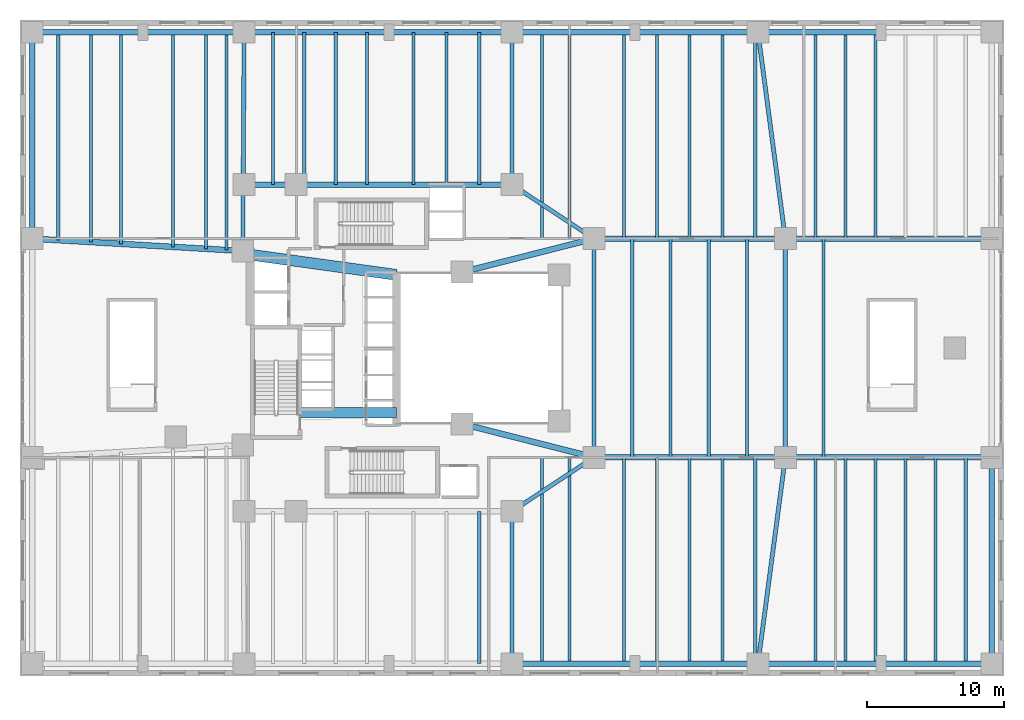
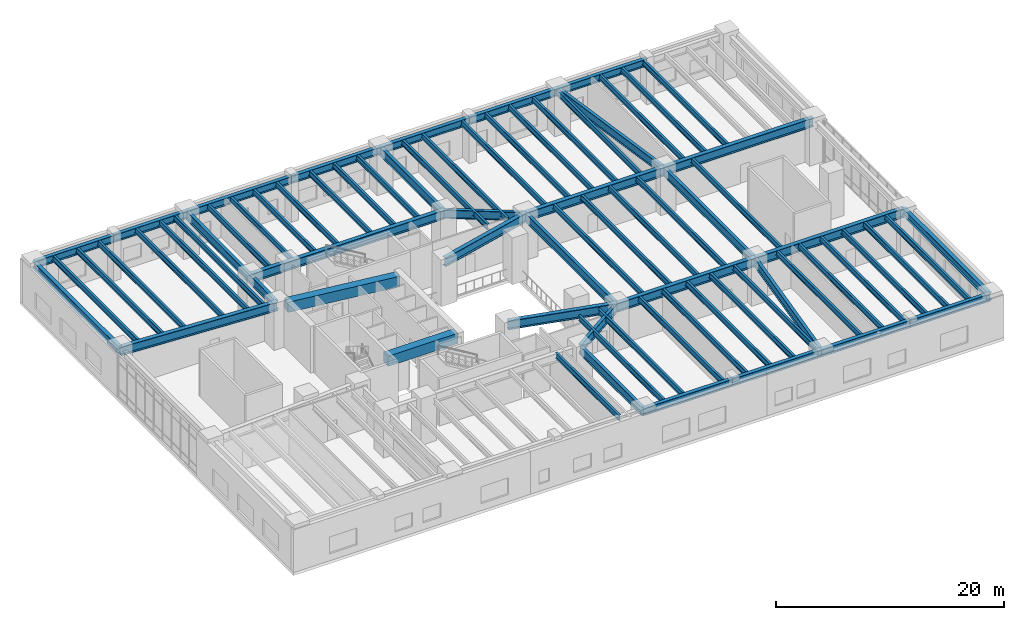
# One storey, part 7 of 18: 74 beams.
"""IFC4 building model written with IfcOpenShell, lengths in metres."""

from ifc_helpers import new_model, si_unit, direction, frame, origin, origin_2d, place, context, subcontext, project, spatial, rectangle, i_section, extrude, material, material_profile, profile_set, type_object, element, save


model = new_model("IFC4")

# Units and contexts
model_context = context("Model", 3, precision=1e-05, world=origin(), true_north=direction((0.0, 1.0)))
body_context = subcontext(model_context, "Body", "Model", "MODEL_VIEW")
ifc_project = project(units=[si_unit("LENGTHUNIT", "METRE"), si_unit("AREAUNIT", "SQUARE_METRE"), si_unit("VOLUMEUNIT", "CUBIC_METRE"), si_unit("PLANEANGLEUNIT", "RADIAN"), si_unit("MASSUNIT", "GRAM", prefix="KILO"), si_unit("THERMODYNAMICTEMPERATUREUNIT", "KELVIN"), si_unit("POWERUNIT", "WATT")], contexts=[model_context])

# Site, building, storey
site_placement = place(None, origin())
site = spatial("IfcSite", under=ifc_project, at=site_placement, CompositionType="ELEMENT")
building_placement = place(site_placement, origin())
building = spatial("IfcBuilding", under=site, at=building_placement, Name="Skarre Station Tower", CompositionType="ELEMENT")
storey_placement = place(building_placement, frame((0.0, 0.0, 16.0)))
storey = spatial("IfcBuildingStorey", under=building, at=storey_placement, Name="L04", CompositionType="ELEMENT", Elevation=16.0)

# Beams
ifc_material_1 = material(Name="Concrete C70/85", Category="concrete")
ifc_material_profile_1 = material_profile(ifc_material_1, rectangle(XDim=0.800048828125, YDim=1.10009765625, at=origin_2d()), Name="Concrete C70/85")
ifc_profile_set_1 = profile_set([ifc_material_profile_1], Name="Concrete C70/85")
beam_type_1 = type_object("IfcBeamType", Name="RC Core Coupling Lintel 800x1100", PredefinedType="LINTEL", material=ifc_profile_set_1)
beam_1_placement = place(storey_placement, frame((20.489990234375, 19.260009765625, 4.030029296875), z_axis=(1.0, 0.0, 0.0), x_axis=(0.0, 1.0, 0.0)))
element("IfcBeam", 1, at=beam_1_placement, inside=storey, type_object=beam_type_1, Name="L04 South Core Coupling Lintel", PredefinedType="LINTEL", context=body_context, shape_type="SweptSolid", body=[
    extrude(rectangle(XDim=0.800048828125, YDim=1.10009765625, at=origin_2d()), origin(), (0.0, 0.0, 1.0), 7.06005859375),
])
beam_2_placement = place(storey_placement, frame((17.050048828125, 30.800048828125, 4.030029296875), z_axis=(0.990599723633, -0.136792498109, 0.0), x_axis=(0.136792498109, 0.990599723633, 0.0)))
element("IfcBeam", 2, at=beam_2_placement, inside=storey, type_object=beam_type_1, Name="L04 North Core Coupling Lintel", PredefinedType="LINTEL", context=body_context, shape_type="SweptSolid", body=[
    extrude(rectangle(XDim=0.800048828125, YDim=1.10009765625, at=origin_2d()), origin(), (0.0, 0.0, 1.0), 10.599609375),
])
ifc_material_2 = material(Name="Steel ASTM A992 Grade 50", Category="steel")
ifc_material_profile_2 = material_profile(ifc_material_2, i_section(OverallWidth=0.30810546875, OverallDepth=0.927001953125, WebThickness=0.01904296875, FlangeThickness=0.031982421875, at=origin_2d()), Name="Steel ASTM A992 Grade 50")
ifc_profile_set_2 = profile_set([ifc_material_profile_2], Name="Steel ASTM A992 Grade 50")
beam_type_2 = type_object("IfcBeamType", Name="Steel Beam W36X194", PredefinedType="BEAM", material=ifc_profile_set_2)
beam_3_placement = place(storey_placement, frame((16.300048828125, 31.10009765625, 4.115966796875), z_axis=(0.006240723195, 0.999980526497, 0.0), x_axis=(-0.999980526497, 0.006240723195, 0.0)))
element("IfcBeam", 3, at=beam_3_placement, inside=storey, type_object=beam_type_2, Name="L04 Concourse Transverse Girder NS2", PredefinedType="BEAM", context=body_context, shape_type="SweptSolid", body=[
    extrude(i_section(OverallWidth=0.30810546875, OverallDepth=0.927001953125, WebThickness=0.01904296875, FlangeThickness=0.031982421875, at=origin_2d()), origin(), (0.0, 0.0, 1.0), 16.000244140625),
])
beam_4_placement = place(storey_placement, frame((36.0, 0.89990234375, 4.115966796875), z_axis=(0.0, 1.0, 0.0), x_axis=(-1.0, 0.0, 0.0)))
element("IfcBeam", 4, at=beam_4_placement, inside=storey, type_object=beam_type_2, Name="L04 Concourse Transverse Girder NS3", PredefinedType="BEAM", context=body_context, shape_type="SweptSolid", body=[
    extrude(i_section(OverallWidth=0.30810546875, OverallDepth=0.927001953125, WebThickness=0.01904296875, FlangeThickness=0.031982421875, at=origin_2d()), origin(), (0.0, 0.0, 1.0), 11.150146484375),
])
beam_5_placement = place(storey_placement, frame((36.0, 12.050048828125, 4.115966796875), z_axis=(0.835251957938, 0.549867408345, 0.0), x_axis=(-0.549867408345, 0.835251957938, 0.0)))
element("IfcBeam", 5, at=beam_5_placement, inside=storey, type_object=beam_type_2, Name="L04 Concourse Transverse Girder NS3B", PredefinedType="BEAM", context=body_context, shape_type="SweptSolid", body=[
    extrude(i_section(OverallWidth=0.30810546875, OverallDepth=0.927001953125, WebThickness=0.01904296875, FlangeThickness=0.031982421875, at=origin_2d()), origin(), (0.0, 0.0, 1.0), 7.183349609375),
])
beam_6_placement = place(storey_placement, frame((42.0, 16.0, 4.115966796875), z_axis=(0.0, 1.0, 0.0), x_axis=(-1.0, 0.0, 0.0)))
element("IfcBeam", 6, at=beam_6_placement, inside=storey, type_object=beam_type_2, Name="L04 Concourse Transverse Girder NS4", PredefinedType="BEAM", context=body_context, shape_type="SweptSolid", body=[
    extrude(i_section(OverallWidth=0.30810546875, OverallDepth=0.927001953125, WebThickness=0.01904296875, FlangeThickness=0.031982421875, at=origin_2d()), origin(), (0.0, 0.0, 1.0), 16.0),
])
beam_7_placement = place(storey_placement, frame((42.0, 32.0, 4.115966796875), z_axis=(-0.835251957938, 0.549867408345, 0.0), x_axis=(-0.549867408345, -0.835251957938, 0.0)))
element("IfcBeam", 7, at=beam_7_placement, inside=storey, type_object=beam_type_2, Name="L04 Concourse Transverse Girder NS5B", PredefinedType="BEAM", context=body_context, shape_type="SweptSolid", body=[
    extrude(i_section(OverallWidth=0.30810546875, OverallDepth=0.927001953125, WebThickness=0.01904296875, FlangeThickness=0.031982421875, at=origin_2d()), origin(), (0.0, 0.0, 1.0), 7.183349609375),
])
beam_8_placement = place(storey_placement, frame((36.0, 35.949951171875, 4.115966796875), z_axis=(0.0, 1.0, 0.0), x_axis=(-1.0, 0.0, 0.0)))
element("IfcBeam", 8, at=beam_8_placement, inside=storey, type_object=beam_type_2, Name="L04 Concourse Transverse Girder NS5", PredefinedType="BEAM", context=body_context, shape_type="SweptSolid", body=[
    extrude(i_section(OverallWidth=0.30810546875, OverallDepth=0.927001953125, WebThickness=0.01904296875, FlangeThickness=0.031982421875, at=origin_2d()), origin(), (0.0, 0.0, 1.0), 11.150146484375),
])
beam_9_placement = place(storey_placement, frame((54.0, 0.89990234375, 4.115966796875), z_axis=(0.131302768537, 0.991342313721, 0.0), x_axis=(-0.991342313721, 0.131302768537, 0.0)))
element("IfcBeam", 9, at=beam_9_placement, inside=storey, type_object=beam_type_2, Name="L04 Concourse Transverse Girder NS6", PredefinedType="BEAM", context=body_context, shape_type="SweptSolid", body=[
    extrude(i_section(OverallWidth=0.30810546875, OverallDepth=0.927001953125, WebThickness=0.01904296875, FlangeThickness=0.031982421875, at=origin_2d()), origin(), (0.0, 0.0, 1.0), 15.23193359375),
])
beam_10_placement = place(storey_placement, frame((56.0, 16.0, 4.115966796875), z_axis=(0.0, 1.0, 0.0), x_axis=(-1.0, 0.0, 0.0)))
element("IfcBeam", 10, at=beam_10_placement, inside=storey, type_object=beam_type_2, Name="L04 Concourse Transverse Girder NS7", PredefinedType="BEAM", context=body_context, shape_type="SweptSolid", body=[
    extrude(i_section(OverallWidth=0.30810546875, OverallDepth=0.927001953125, WebThickness=0.01904296875, FlangeThickness=0.031982421875, at=origin_2d()), origin(), (0.0, 0.0, 1.0), 16.0),
])
beam_11_placement = place(storey_placement, frame((56.0, 32.0, 4.115966796875), z_axis=(-0.131302768537, 0.991342313721, 0.0), x_axis=(-0.991342313721, -0.131302768537, 0.0)))
element("IfcBeam", 11, at=beam_11_placement, inside=storey, type_object=beam_type_2, Name="L04 Concourse Transverse Girder NS8", PredefinedType="BEAM", context=body_context, shape_type="SweptSolid", body=[
    extrude(i_section(OverallWidth=0.30810546875, OverallDepth=0.927001953125, WebThickness=0.01904296875, FlangeThickness=0.031982421875, at=origin_2d()), origin(), (0.0, 0.0, 1.0), 15.23193359375),
])
ifc_material_profile_3 = material_profile(ifc_material_2, i_section(OverallWidth=0.423095703125, OverallDepth=0.947998046875, WebThickness=0.02392578125, FlangeThickness=0.04296875, at=origin_2d()), Name="Steel ASTM A992 Grade 50")
ifc_profile_set_3 = profile_set([ifc_material_profile_3], Name="Steel ASTM A992 Grade 50")
beam_type_3 = type_object("IfcBeamType", Name="Steel Beam W36X302", PredefinedType="BEAM", material=ifc_profile_set_3)
beam_12_placement = place(storey_placement, frame((32.35009765625, 18.449951171875, 4.10595703125), z_axis=(0.969250360418, -0.246076692982, 0.0), x_axis=(0.246076692982, 0.969250360418, 0.0)))
element("IfcBeam", 12, at=beam_12_placement, inside=storey, type_object=beam_type_3, Name="L04 Concourse Primary Girder EW2", PredefinedType="BEAM", context=body_context, shape_type="SweptSolid", body=[
    extrude(i_section(OverallWidth=0.423095703125, OverallDepth=0.947998046875, WebThickness=0.02392578125, FlangeThickness=0.04296875, at=origin_2d()), origin(), (0.0, 0.0, 1.0), 9.9560546875),
])
beam_13_placement = place(storey_placement, frame((42.0, 16.0, 4.10595703125), z_axis=(1.0, 0.0, 0.0), x_axis=(0.0, 1.0, 0.0)))
element("IfcBeam", 13, at=beam_13_placement, inside=storey, type_object=beam_type_3, Name="L04 Concourse Primary Girder EW3", PredefinedType="BEAM", context=body_context, shape_type="SweptSolid", body=[
    extrude(i_section(OverallWidth=0.423095703125, OverallDepth=0.947998046875, WebThickness=0.02392578125, FlangeThickness=0.04296875, at=origin_2d()), origin(), (0.0, 0.0, 1.0), 14.0),
])
beam_14_placement = place(storey_placement, frame((56.0, 16.0, 4.10595703125), z_axis=(1.0, 0.0, 0.0), x_axis=(0.0, 1.0, 0.0)))
element("IfcBeam", 14, at=beam_14_placement, inside=storey, type_object=beam_type_3, Name="L04 Concourse Primary Girder EW4", PredefinedType="BEAM", context=body_context, shape_type="SweptSolid", body=[
    extrude(i_section(OverallWidth=0.423095703125, OverallDepth=0.947998046875, WebThickness=0.02392578125, FlangeThickness=0.04296875, at=origin_2d()), origin(), (0.0, 0.0, 1.0), 15.10009765625),
])
beam_15_placement = place(storey_placement, frame((0.89990234375, 32.0, 4.10595703125), z_axis=(0.99829705511, -0.05833515029, 0.0), x_axis=(0.05833515029, 0.99829705511, 0.0)))
element("IfcBeam", 15, at=beam_15_placement, inside=storey, type_object=beam_type_3, Name="L04 Concourse Primary Girder EW5", PredefinedType="BEAM", context=body_context, shape_type="SweptSolid", body=[
    extrude(i_section(OverallWidth=0.423095703125, OverallDepth=0.947998046875, WebThickness=0.02392578125, FlangeThickness=0.04296875, at=origin_2d()), origin(), (0.0, 0.0, 1.0), 15.426513671875),
])
beam_16_placement = place(storey_placement, frame((32.35009765625, 29.550048828125, 4.10595703125), z_axis=(0.969250360418, 0.246076692982, 0.0), x_axis=(-0.246076692982, 0.969250360418, 0.0)))
element("IfcBeam", 16, at=beam_16_placement, inside=storey, type_object=beam_type_3, Name="L04 Concourse Primary Girder EW6", PredefinedType="BEAM", context=body_context, shape_type="SweptSolid", body=[
    extrude(i_section(OverallWidth=0.423095703125, OverallDepth=0.947998046875, WebThickness=0.02392578125, FlangeThickness=0.04296875, at=origin_2d()), origin(), (0.0, 0.0, 1.0), 9.9560546875),
])
beam_17_placement = place(storey_placement, frame((42.0, 32.0, 4.10595703125), z_axis=(1.0, 0.0, 0.0), x_axis=(0.0, 1.0, 0.0)))
element("IfcBeam", 17, at=beam_17_placement, inside=storey, type_object=beam_type_3, Name="L04 Concourse Primary Girder EW7", PredefinedType="BEAM", context=body_context, shape_type="SweptSolid", body=[
    extrude(i_section(OverallWidth=0.423095703125, OverallDepth=0.947998046875, WebThickness=0.02392578125, FlangeThickness=0.04296875, at=origin_2d()), origin(), (0.0, 0.0, 1.0), 14.0),
])
beam_18_placement = place(storey_placement, frame((56.0, 32.0, 4.10595703125), z_axis=(1.0, 0.0, 0.0), x_axis=(0.0, 1.0, 0.0)))
element("IfcBeam", 18, at=beam_18_placement, inside=storey, type_object=beam_type_3, Name="L04 Concourse Primary Girder EW8", PredefinedType="BEAM", context=body_context, shape_type="SweptSolid", body=[
    extrude(i_section(OverallWidth=0.423095703125, OverallDepth=0.947998046875, WebThickness=0.02392578125, FlangeThickness=0.04296875, at=origin_2d()), origin(), (0.0, 0.0, 1.0), 15.10009765625),
])
beam_19_placement = place(storey_placement, frame((16.39990234375, 35.949951171875, 4.10595703125), z_axis=(1.0, 0.0, 0.0), x_axis=(0.0, 1.0, 0.0)))
element("IfcBeam", 19, at=beam_19_placement, inside=storey, type_object=beam_type_3, Name="L04 Concourse Primary Girder HDRN", PredefinedType="BEAM", context=body_context, shape_type="SweptSolid", body=[
    extrude(i_section(OverallWidth=0.423095703125, OverallDepth=0.947998046875, WebThickness=0.02392578125, FlangeThickness=0.04296875, at=origin_2d()), origin(), (0.0, 0.0, 1.0), 19.60009765625),
])
ifc_material_profile_4 = material_profile(ifc_material_2, i_section(OverallWidth=0.22802734375, OverallDepth=0.60791015625, WebThickness=0.010986328125, FlangeThickness=0.01708984375, at=origin_2d()), Name="Steel ASTM A992 Grade 50")
ifc_profile_set_4 = profile_set([ifc_material_profile_4], Name="Steel ASTM A992 Grade 50")
beam_type_4 = type_object("IfcBeamType", Name="Steel Joist W24X76", PredefinedType="JOIST", material=ifc_profile_set_4)
beam_20_placement = place(storey_placement, frame((2.800048828125, 31.888916015625, 4.27587890625), z_axis=(0.0, 1.0, 0.0), x_axis=(-1.0, 0.0, 0.0)))
element("IfcBeam", 20, at=beam_20_placement, inside=storey, type_object=beam_type_4, Name="L04 North Bay Joist 1", PredefinedType="JOIST", context=body_context, shape_type="SweptSolid", body=[
    extrude(i_section(OverallWidth=0.22802734375, OverallDepth=0.60791015625, WebThickness=0.010986328125, FlangeThickness=0.01708984375, at=origin_2d()), origin(), (0.0, 0.0, 1.0), 15.211181640625),
])
beam_21_placement = place(storey_placement, frame((5.199951171875, 31.7490234375, 4.27587890625), z_axis=(0.0, 1.0, 0.0), x_axis=(-1.0, 0.0, 0.0)))
element("IfcBeam", 21, at=beam_21_placement, inside=storey, type_object=beam_type_4, Name="L04 North Bay Joist 2", PredefinedType="JOIST", context=body_context, shape_type="SweptSolid", body=[
    extrude(i_section(OverallWidth=0.22802734375, OverallDepth=0.60791015625, WebThickness=0.010986328125, FlangeThickness=0.01708984375, at=origin_2d()), origin(), (0.0, 0.0, 1.0), 15.35107421875),
])
beam_22_placement = place(storey_placement, frame((7.39990234375, 31.6201171875, 4.27587890625), z_axis=(0.0, 1.0, 0.0), x_axis=(-1.0, 0.0, 0.0)))
element("IfcBeam", 22, at=beam_22_placement, inside=storey, type_object=beam_type_4, Name="L04 North Bay Joist 3", PredefinedType="JOIST", context=body_context, shape_type="SweptSolid", body=[
    extrude(i_section(OverallWidth=0.22802734375, OverallDepth=0.60791015625, WebThickness=0.010986328125, FlangeThickness=0.01708984375, at=origin_2d()), origin(), (0.0, 0.0, 1.0), 15.47998046875),
])
beam_23_placement = place(storey_placement, frame((11.199951171875, 31.39794921875, 4.27587890625), z_axis=(0.0, 1.0, 0.0), x_axis=(-1.0, 0.0, 0.0)))
element("IfcBeam", 23, at=beam_23_placement, inside=storey, type_object=beam_type_4, Name="L04 North Bay Joist 4", PredefinedType="JOIST", context=body_context, shape_type="SweptSolid", body=[
    extrude(i_section(OverallWidth=0.22802734375, OverallDepth=0.60791015625, WebThickness=0.010986328125, FlangeThickness=0.01708984375, at=origin_2d()), origin(), (0.0, 0.0, 1.0), 15.7021484375),
])
beam_24_placement = place(storey_placement, frame((13.60009765625, 31.258056640625, 4.27587890625), z_axis=(0.0, 1.0, 0.0), x_axis=(-1.0, 0.0, 0.0)))
element("IfcBeam", 24, at=beam_24_placement, inside=storey, type_object=beam_type_4, Name="L04 North Bay Joist 5", PredefinedType="JOIST", context=body_context, shape_type="SweptSolid", body=[
    extrude(i_section(OverallWidth=0.22802734375, OverallDepth=0.60791015625, WebThickness=0.010986328125, FlangeThickness=0.01708984375, at=origin_2d()), origin(), (0.0, 0.0, 1.0), 15.842041015625),
])
beam_25_placement = place(storey_placement, frame((15.10009765625, 31.169921875, 4.27587890625), z_axis=(0.0, 1.0, 0.0), x_axis=(-1.0, 0.0, 0.0)))
element("IfcBeam", 25, at=beam_25_placement, inside=storey, type_object=beam_type_4, Name="L04 North Bay Joist 6", PredefinedType="JOIST", context=body_context, shape_type="SweptSolid", body=[
    extrude(i_section(OverallWidth=0.22802734375, OverallDepth=0.60791015625, WebThickness=0.010986328125, FlangeThickness=0.01708984375, at=origin_2d()), origin(), (0.0, 0.0, 1.0), 15.93017578125),
])
for number, where, z_axis, x_axis, name in (
    (26, (18.5, 35.949951171875, 4.27587890625), (0.0, 1.0, 0.0), (-1.0, 0.0, 0.0), "L04 North Bay Joist 7"),
    (27, (20.800048828125, 35.949951171875, 4.27587890625), (0.0, 1.0, 0.0), (-1.0, 0.0, 0.0), "L04 North Bay Joist 8"),
    (28, (23.10009765625, 35.949951171875, 4.27587890625), (0.0, 1.0, 0.0), (-1.0, 0.0, 0.0), "L04 North Bay Joist 9"),
    (29, (25.39990234375, 35.949951171875, 4.27587890625), (0.0, 1.0, 0.0), (-1.0, 0.0, 0.0), "L04 North Bay Joist 10"),
    (30, (28.800048828125, 35.949951171875, 4.27587890625), (0.0, 1.0, 0.0), (-1.0, 0.0, 0.0), "L04 North Bay Joist 11"),
    (31, (31.199951171875, 35.949951171875, 4.27587890625), (0.0, 1.0, 0.0), (-1.0, 0.0, 0.0), "L04 North Bay Joist 12"),
    (32, (33.60009765625, 0.89990234375, 4.27587890625), (0.0, 1.0, 0.0), (-1.0, 0.0, 0.0), "L04 South Bay Joist 13"),
    (33, (33.60009765625, 35.949951171875, 4.27587890625), (0.0, 1.0, 0.0), (-1.0, 0.0, 0.0), "L04 North Bay Joist 13"),
):
    element("IfcBeam", number, at=place(storey_placement, frame(where, z_axis=z_axis, x_axis=x_axis)), inside=storey, type_object=beam_type_4, Name=name, PredefinedType="JOIST", context=body_context, shape_type="SweptSolid", body=[
        extrude(i_section(OverallWidth=0.22802734375, OverallDepth=0.60791015625, WebThickness=0.010986328125, FlangeThickness=0.01708984375, at=origin_2d()), origin(), (0.0, 0.0, 1.0), 11.150146484375),
    ])
for number, where, z_axis, x_axis, name in (
    (34, (38.199951171875, 0.89990234375, 4.27587890625), (0.0, 1.0, 0.0), (-1.0, 0.0, 0.0), "L04 South Bay Joist 14"),
    (35, (38.199951171875, 32.0, 4.27587890625), (0.0, 1.0, 0.0), (-1.0, 0.0, 0.0), "L04 North Bay Joist 14"),
    (36, (40.199951171875, 0.89990234375, 4.27587890625), (0.0, 1.0, 0.0), (-1.0, 0.0, 0.0), "L04 South Bay Joist 15"),
    (37, (40.199951171875, 32.0, 4.27587890625), (0.0, 1.0, 0.0), (-1.0, 0.0, 0.0), "L04 North Bay Joist 15"),
    (38, (44.199951171875, 0.89990234375, 4.27587890625), (0.0, 1.0, 0.0), (-1.0, 0.0, 0.0), "L04 South Bay Joist 16"),
    (39, (44.199951171875, 32.0, 4.27587890625), (0.0, 1.0, 0.0), (-1.0, 0.0, 0.0), "L04 North Bay Joist 16"),
    (40, (46.60009765625, 0.89990234375, 4.27587890625), (0.0, 1.0, 0.0), (-1.0, 0.0, 0.0), "L04 South Bay Joist 17"),
    (41, (46.60009765625, 32.0, 4.27587890625), (0.0, 1.0, 0.0), (-1.0, 0.0, 0.0), "L04 North Bay Joist 17"),
    (42, (49.0, 0.89990234375, 4.27587890625), (0.0, 1.0, 0.0), (-1.0, 0.0, 0.0), "L04 South Bay Joist 18"),
    (43, (49.0, 32.0, 4.27587890625), (0.0, 1.0, 0.0), (-1.0, 0.0, 0.0), "L04 North Bay Joist 18"),
    (44, (51.39990234375, 0.89990234375, 4.27587890625), (0.0, 1.0, 0.0), (-1.0, 0.0, 0.0), "L04 South Bay Joist 19"),
    (45, (51.39990234375, 32.0, 4.27587890625), (0.0, 1.0, 0.0), (-1.0, 0.0, 0.0), "L04 North Bay Joist 19"),
    (46, (53.800048828125, 0.89990234375, 4.27587890625), (0.0, 1.0, 0.0), (-1.0, 0.0, 0.0), "L04 South Bay Joist 20"),
    (47, (53.800048828125, 32.0, 4.27587890625), (0.0, 1.0, 0.0), (-1.0, 0.0, 0.0), "L04 North Bay Joist 20"),
    (48, (58.199951171875, 0.89990234375, 4.27587890625), (0.0, 1.0, 0.0), (-1.0, 0.0, 0.0), "L04 South Bay Joist 21"),
    (49, (58.199951171875, 32.0, 4.27587890625), (0.0, 1.0, 0.0), (-1.0, 0.0, 0.0), "L04 North Bay Joist 21"),
    (50, (60.39990234375, 0.89990234375, 4.27587890625), (0.0, 1.0, 0.0), (-1.0, 0.0, 0.0), "L04 South Bay Joist 22"),
    (51, (60.39990234375, 32.0, 4.27587890625), (0.0, 1.0, 0.0), (-1.0, 0.0, 0.0), "L04 North Bay Joist 22"),
    (52, (62.60009765625, 0.89990234375, 4.27587890625), (0.0, 1.0, 0.0), (-1.0, 0.0, 0.0), "L04 South Bay Joist 23"),
    (53, (62.60009765625, 32.0, 4.27587890625), (0.0, 1.0, 0.0), (-1.0, 0.0, 0.0), "L04 North Bay Joist 23"),
    (54, (64.800048828125, 0.89990234375, 4.27587890625), (0.0, 1.0, 0.0), (-1.0, 0.0, 0.0), "L04 South Bay Joist 24"),
    (55, (67.0, 0.89990234375, 4.27587890625), (0.0, 1.0, 0.0), (-1.0, 0.0, 0.0), "L04 South Bay Joist 25"),
    (56, (69.199951171875, 0.89990234375, 4.27587890625), (0.0, 1.0, 0.0), (-1.0, 0.0, 0.0), "L04 South Bay Joist 26"),
):
    element("IfcBeam", number, at=place(storey_placement, frame(where, z_axis=z_axis, x_axis=x_axis)), inside=storey, type_object=beam_type_4, Name=name, PredefinedType="JOIST", context=body_context, shape_type="SweptSolid", body=[
        extrude(i_section(OverallWidth=0.22802734375, OverallDepth=0.60791015625, WebThickness=0.010986328125, FlangeThickness=0.01708984375, at=origin_2d()), origin(), (0.0, 0.0, 1.0), 15.10009765625),
    ])
for number, where, z_axis, x_axis, name in (
    (57, (44.800048828125, 16.0, 4.27587890625), (0.0, 1.0, 0.0), (-1.0, 0.0, 0.0), "L04 Central Concourse Joist 1"),
    (58, (47.60009765625, 16.0, 4.27587890625), (0.0, 1.0, 0.0), (-1.0, 0.0, 0.0), "L04 Central Concourse Joist 2"),
    (59, (50.39990234375, 16.0, 4.27587890625), (0.0, 1.0, 0.0), (-1.0, 0.0, 0.0), "L04 Central Concourse Joist 3"),
    (60, (53.199951171875, 16.0, 4.27587890625), (0.0, 1.0, 0.0), (-1.0, 0.0, 0.0), "L04 Central Concourse Joist 4"),
    (61, (58.800048828125, 16.0, 4.27587890625), (0.0, 1.0, 0.0), (-1.0, 0.0, 0.0), "L04 Central Concourse Joist 5"),
):
    element("IfcBeam", number, at=place(storey_placement, frame(where, z_axis=z_axis, x_axis=x_axis)), inside=storey, type_object=beam_type_4, Name=name, PredefinedType="JOIST", context=body_context, shape_type="SweptSolid", body=[
        extrude(i_section(OverallWidth=0.22802734375, OverallDepth=0.60791015625, WebThickness=0.010986328125, FlangeThickness=0.01708984375, at=origin_2d()), origin(), (0.0, 0.0, 1.0), 16.0),
    ])
ifc_material_profile_5 = material_profile(ifc_material_2, i_section(OverallWidth=0.384033203125, OverallDepth=0.785888671875, WebThickness=0.02001953125, FlangeThickness=0.032958984375, at=origin_2d()), Name="Steel ASTM A992 Grade 50")
ifc_profile_set_5 = profile_set([ifc_material_profile_5], Name="Steel ASTM A992 Grade 50")
beam_type_5 = type_object("IfcBeamType", Name="Steel Spandrel W30X211", PredefinedType="SPANDREL", material=ifc_profile_set_5)
beam_26_placement = place(storey_placement, frame((0.89990234375, 47.10009765625, 4.18701171875), z_axis=(1.0, 0.0, 0.0), x_axis=(0.0, 1.0, 0.0)))
element("IfcBeam", 62, at=beam_26_placement, inside=storey, type_object=beam_type_5, Name="L04 North Podium Spandrel 1", PredefinedType="SPANDREL", context=body_context, shape_type="SweptSolid", body=[
    extrude(i_section(OverallWidth=0.384033203125, OverallDepth=0.785888671875, WebThickness=0.02001953125, FlangeThickness=0.032958984375, at=origin_2d()), origin(), (0.0, 0.0, 1.0), 8.10009765625),
])
beam_27_placement = place(storey_placement, frame((9.0, 47.10009765625, 4.18701171875), z_axis=(1.0, 0.0, 0.0), x_axis=(0.0, 1.0, 0.0)))
element("IfcBeam", 63, at=beam_27_placement, inside=storey, type_object=beam_type_5, Name="L04 North Podium Spandrel 2", PredefinedType="SPANDREL", context=body_context, shape_type="SweptSolid", body=[
    extrude(i_section(OverallWidth=0.384033203125, OverallDepth=0.785888671875, WebThickness=0.02001953125, FlangeThickness=0.032958984375, at=origin_2d()), origin(), (0.0, 0.0, 1.0), 7.39990234375),
])
beam_28_placement = place(storey_placement, frame((16.39990234375, 47.10009765625, 4.18701171875), z_axis=(1.0, 0.0, 0.0), x_axis=(0.0, 1.0, 0.0)))
element("IfcBeam", 64, at=beam_28_placement, inside=storey, type_object=beam_type_5, Name="L04 North Podium Spandrel 3", PredefinedType="SPANDREL", context=body_context, shape_type="SweptSolid", body=[
    extrude(i_section(OverallWidth=0.384033203125, OverallDepth=0.785888671875, WebThickness=0.02001953125, FlangeThickness=0.032958984375, at=origin_2d()), origin(), (0.0, 0.0, 1.0), 10.60009765625),
])
for number, where, z_axis, x_axis, name in (
    (65, (27.0, 47.10009765625, 4.18701171875), (1.0, 0.0, 0.0), (0.0, 1.0, 0.0), "L04 North Podium Spandrel 4"),
    (66, (36.0, 0.89990234375, 4.18701171875), (1.0, 0.0, 0.0), (0.0, 1.0, 0.0), "L04 South Podium Spandrel 5"),
    (67, (36.0, 47.10009765625, 4.18701171875), (1.0, 0.0, 0.0), (0.0, 1.0, 0.0), "L04 North Podium Spandrel 5"),
    (68, (45.0, 0.89990234375, 4.18701171875), (1.0, 0.0, 0.0), (0.0, 1.0, 0.0), "L04 South Podium Spandrel 6"),
    (69, (45.0, 47.10009765625, 4.18701171875), (1.0, 0.0, 0.0), (0.0, 1.0, 0.0), "L04 North Podium Spandrel 6"),
    (70, (54.0, 0.89990234375, 4.18701171875), (1.0, 0.0, 0.0), (0.0, 1.0, 0.0), "L04 South Podium Spandrel 7"),
    (71, (54.0, 47.10009765625, 4.18701171875), (1.0, 0.0, 0.0), (0.0, 1.0, 0.0), "L04 North Podium Spandrel 7"),
):
    element("IfcBeam", number, at=place(storey_placement, frame(where, z_axis=z_axis, x_axis=x_axis)), inside=storey, type_object=beam_type_5, Name=name, PredefinedType="SPANDREL", context=body_context, shape_type="SweptSolid", body=[
        extrude(i_section(OverallWidth=0.384033203125, OverallDepth=0.785888671875, WebThickness=0.02001953125, FlangeThickness=0.032958984375, at=origin_2d()), origin(), (0.0, 0.0, 1.0), 9.0),
    ])
beam_29_placement = place(storey_placement, frame((63.0, 0.89990234375, 4.18701171875), z_axis=(1.0, 0.0, 0.0), x_axis=(0.0, 1.0, 0.0)))
element("IfcBeam", 72, at=beam_29_placement, inside=storey, type_object=beam_type_5, Name="L04 South Podium Spandrel 8", PredefinedType="SPANDREL", context=body_context, shape_type="SweptSolid", body=[
    extrude(i_section(OverallWidth=0.384033203125, OverallDepth=0.785888671875, WebThickness=0.02001953125, FlangeThickness=0.032958984375, at=origin_2d()), origin(), (0.0, 0.0, 1.0), 8.10009765625),
])
for number, where, z_axis, x_axis, name in (
    (73, (71.10009765625, 0.89990234375, 4.18701171875), (0.0, 1.0, 0.0), (-1.0, 0.0, 0.0), "L04 East Podium Spandrel 1"),
    (74, (0.89990234375, 32.0, 4.18701171875), (0.0, 1.0, 0.0), (-1.0, 0.0, 0.0), "L04 West Podium Spandrel 3"),
):
    element("IfcBeam", number, at=place(storey_placement, frame(where, z_axis=z_axis, x_axis=x_axis)), inside=storey, type_object=beam_type_5, Name=name, PredefinedType="SPANDREL", context=body_context, shape_type="SweptSolid", body=[
        extrude(i_section(OverallWidth=0.384033203125, OverallDepth=0.785888671875, WebThickness=0.02001953125, FlangeThickness=0.032958984375, at=origin_2d()), origin(), (0.0, 0.0, 1.0), 15.10009765625),
    ])

save(model, "model.ifc")
